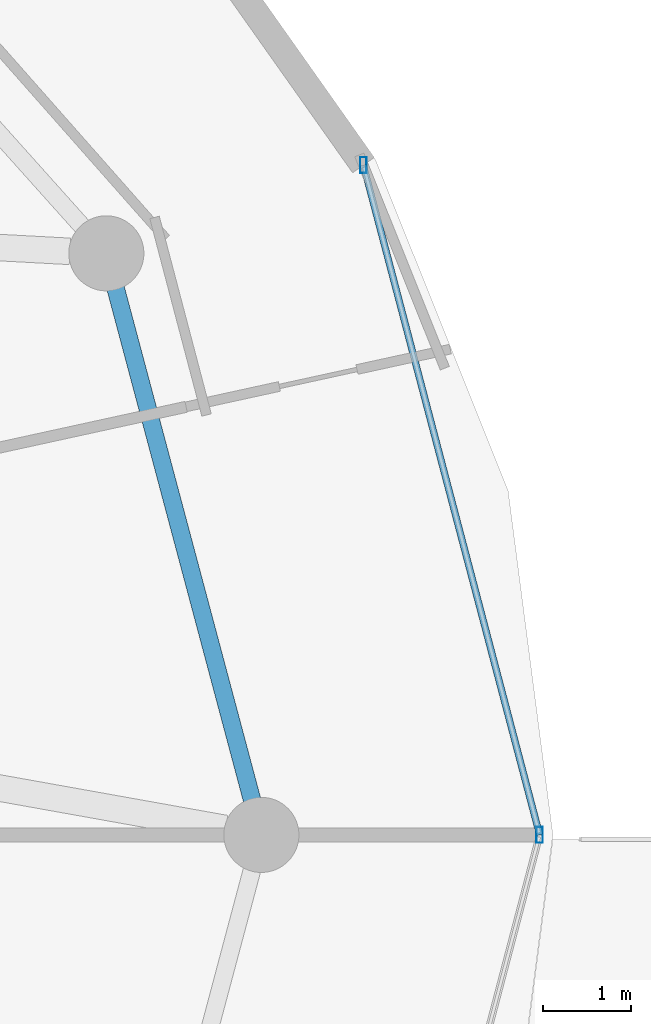
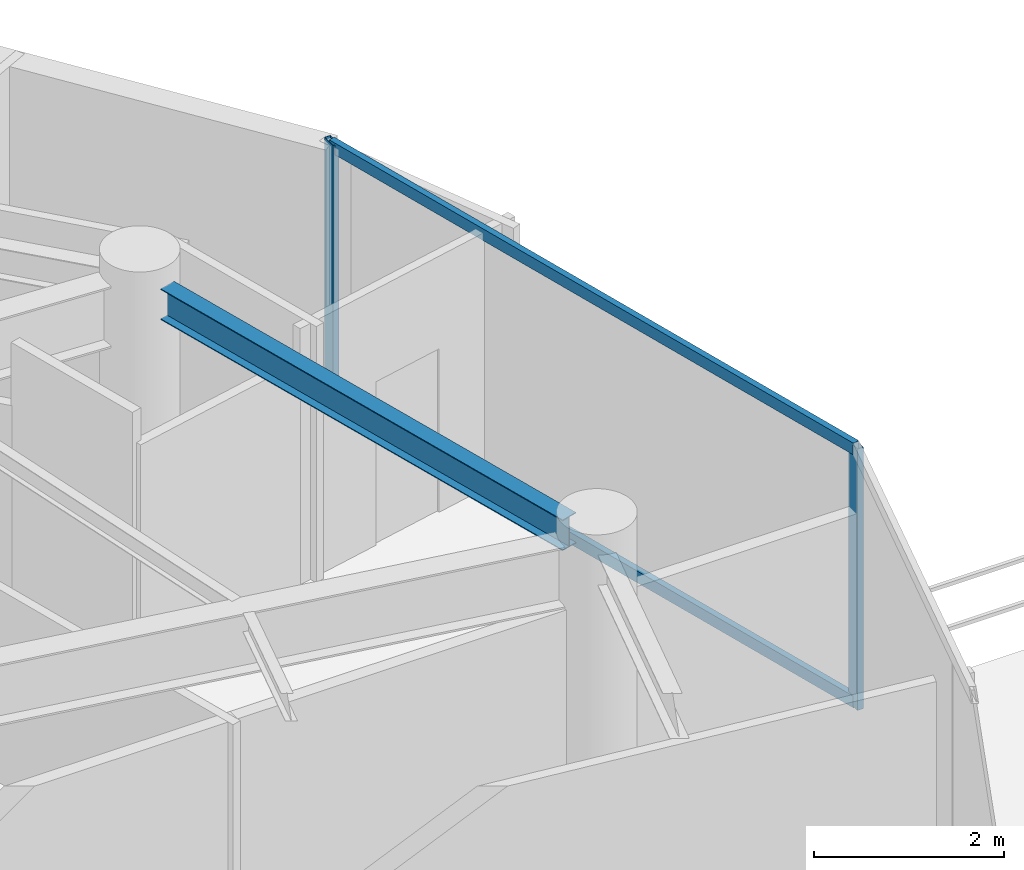
# One storey, part 14 of 30: 4 members, 1 beam, 1 element without a shape of its own.
"""IFC4 building model written with IfcOpenShell, lengths in metres."""

from ifc_helpers import new_model, si_unit, direction, frame, origin, origin_2d, place, context, subcontext, project, spatial, hollow_rectangle, i_section, extrude, material, material_profile, profile_set, type_object, element, aggregate, save


model = new_model("IFC4")

# Units and contexts
model_context = context("Model", 3, precision=1e-05, world=origin(), true_north=direction((0.0, 1.0)))
body_context = subcontext(model_context, "Body", "Model", "MODEL_VIEW")
ifc_project = project(units=[si_unit("LENGTHUNIT", "METRE"), si_unit("AREAUNIT", "SQUARE_METRE"), si_unit("VOLUMEUNIT", "CUBIC_METRE"), si_unit("PLANEANGLEUNIT", "RADIAN"), si_unit("MASSUNIT", "GRAM", prefix="KILO")], contexts=[model_context])

# Site, building, storey
site_placement = place(None, origin())
site = spatial("IfcSite", under=ifc_project, at=site_placement, CompositionType="ELEMENT")
building_placement = place(site_placement, origin())
building = spatial("IfcBuilding", under=site, at=building_placement, Name="Vorneva Point Tower", CompositionType="ELEMENT")
storey_placement = place(building_placement, frame((0.0, 0.0, 262.64990234375)))
storey = spatial("IfcBuildingStorey", under=building, at=storey_placement, Name="L71", CompositionType="ELEMENT", Elevation=262.64990234375)

# Beam
ifc_material_1 = material(Name="Steel S355", Category="steel")
ifc_material_profile_1 = material_profile(ifc_material_1, i_section(OverallWidth=0.198974609375, OverallDepth=0.39599609375, WebThickness=0.007080078125, FlangeThickness=0.010986328125, at=origin_2d()), Name="40B1")
ifc_profile_set_1 = profile_set([ifc_material_profile_1], Name="Steel S355")
beam_type = type_object("IfcBeamType", Name="BM-SPN-40B1", PredefinedType="SPANDREL", material=ifc_profile_set_1)
beam_placement = place(storey_placement, frame((60.9443359375, 26.396240234375, 3.092041015625), z_axis=(-0.257586570866, 0.966255224312, 0.0), x_axis=(-0.966255224312, -0.257586570866, 0.0)))
element("IfcBeam", 1, at=beam_placement, inside=storey, type_object=beam_type, Name="L71 Perimeter Spandrel Ring Beam 01", PredefinedType="SPANDREL", context=body_context, shape_type="SweptSolid", body=[
    extrude(i_section(OverallWidth=0.198974609375, OverallDepth=0.39599609375, WebThickness=0.007080078125, FlangeThickness=0.010986328125, at=origin_2d()), origin(), (0.0, 0.0, 1.0), 5.991943359375),
])

# Curtain wall, members
ifc_material_2 = material(Name="Pale anodised aluminium", Category="aluminium")
curtain_wall_type = type_object("IfcCurtainWallType", Name="CW-RES-SYS", PredefinedType="NOTDEFINED", material=ifc_material_2)
curtain_wall_placement = place(storey_placement, origin())
curtain_wall = element("IfcCurtainWall", 2, at=curtain_wall_placement, inside=storey, type_object=curtain_wall_type, Name="L71 Unitised Curtain Wall CW-L71-R01", PredefinedType="NOTDEFINED")
ifc_material_profile_2 = material_profile(ifc_material_2, hollow_rectangle(XDim=0.074951171875, YDim=0.179931640625, WallThickness=0.00390625, at=origin_2d()), Name="AL-MUL 180x75x4")
ifc_profile_set_2 = profile_set([ifc_material_profile_2], Name="Pale anodised aluminium")
member_type_1 = type_object("IfcMemberType", Name="CW-MUL-180", PredefinedType="MULLION", material=ifc_profile_set_2)
member_1_placement = place(storey_placement, frame((64.199951171875, 26.0, -0.039794921875), z_axis=(0.0, 0.0, 1.0), x_axis=(1.0, 0.0, 0.0)))
member_1 = element("IfcMember", 3, at=member_1_placement, type_object=member_type_1, Name="CW-L71-R01 Mullion 02", PredefinedType="MULLION", context=body_context, shape_type="SweptSolid", body=[
    extrude(hollow_rectangle(XDim=0.074951171875, YDim=0.179931640625, WallThickness=0.00390625, at=origin_2d()), origin(), (0.0, 0.0, 1.0), 3.35986328125),
])
member_2_placement = place(storey_placement, frame((62.20556640625, 33.5810546875, -0.039794921875), z_axis=(0.0, 0.0, 1.0), x_axis=(1.0, 0.0, 0.0)))
member_2 = element("IfcMember", 4, at=member_2_placement, type_object=member_type_1, Name="CW-L71-R01 Mullion 03", PredefinedType="MULLION", context=body_context, shape_type="SweptSolid", body=[
    extrude(hollow_rectangle(XDim=0.074951171875, YDim=0.179931640625, WallThickness=0.00390625, at=origin_2d()), origin(), (0.0, 0.0, 1.0), 3.35986328125),
])
ifc_material_profile_3 = material_profile(ifc_material_2, hollow_rectangle(XDim=0.074951171875, YDim=0.14990234375, WallThickness=0.00390625, at=origin_2d()), Name="AL-TRN 150x75x4")
ifc_profile_set_3 = profile_set([ifc_material_profile_3], Name="Pale anodised aluminium")
member_type_2 = type_object("IfcMemberType", Name="CW-TRN-150", PredefinedType="USERDEFINED", material=ifc_profile_set_3)
member_3_placement = place(storey_placement, frame((64.199951171875, 26.0, 0.02001953125), z_axis=(-0.254418180926, 0.967094302131, 0.0), x_axis=(-0.967094302131, -0.254418180926, 0.0)))
member_3 = element("IfcMember", 5, at=member_3_placement, type_object=member_type_2, Name="CW-L71-R01 Transom 02.1", ObjectType="TRANSOM", PredefinedType="USERDEFINED", context=body_context, shape_type="SweptSolid", body=[
    extrude(hollow_rectangle(XDim=0.074951171875, YDim=0.14990234375, WallThickness=0.00390625, at=origin_2d()), origin(), (0.0, 0.0, 1.0), 7.839111328125),
])
member_4_placement = place(storey_placement, frame((64.199951171875, 26.0, 3.27001953125), z_axis=(-0.254418180926, 0.967094302131, 0.0), x_axis=(-0.967094302131, -0.254418180926, 0.0)))
member_4 = element("IfcMember", 6, at=member_4_placement, type_object=member_type_2, Name="CW-L71-R01 Transom 02.2", ObjectType="TRANSOM", PredefinedType="USERDEFINED", context=body_context, shape_type="SweptSolid", body=[
    extrude(hollow_rectangle(XDim=0.074951171875, YDim=0.14990234375, WallThickness=0.00390625, at=origin_2d()), origin(), (0.0, 0.0, 1.0), 7.839111328125),
])
aggregate(curtain_wall, [member_1, member_2, member_3, member_4])

save(model, "model.ifc")
